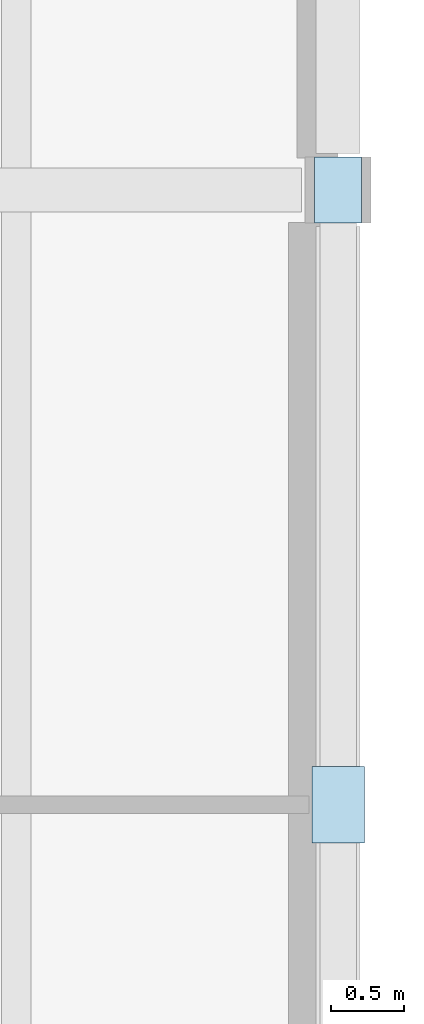
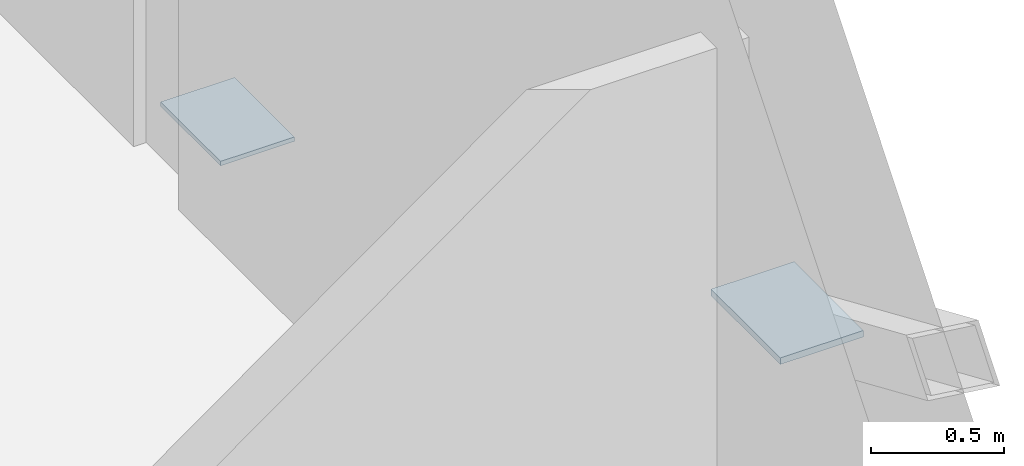
# One storey, part 46 of 74: 2 plates.
"""IFC4 building model written with IfcOpenShell, lengths in metres."""

from ifc_helpers import new_model, si_unit, direction, frame, origin, origin_2d, place, context, subcontext, project, spatial, rectangle, extrude, material, layer, layer_set, type_object, element, save


model = new_model("IFC4")

# Units and contexts
model_context = context("Model", 3, precision=1e-05, world=origin(), true_north=direction((0.0, 1.0)))
body_context = subcontext(model_context, "Body", "Model", "MODEL_VIEW")
ifc_project = project(units=[si_unit("LENGTHUNIT", "METRE"), si_unit("AREAUNIT", "SQUARE_METRE"), si_unit("VOLUMEUNIT", "CUBIC_METRE"), si_unit("PLANEANGLEUNIT", "RADIAN"), si_unit("MASSUNIT", "GRAM", prefix="KILO")], contexts=[model_context])

# Site, building, storey
site_placement = place(None, origin())
site = spatial("IfcSite", under=ifc_project, at=site_placement, CompositionType="ELEMENT")
building_placement = place(site_placement, origin())
building = spatial("IfcBuilding", under=site, at=building_placement, Name="Qaldarim Faculty of Natural and Applied Sciences", CompositionType="ELEMENT")
storey_placement = place(building_placement, frame((0.0, 0.0, 14.39990234375)))
storey = spatial("IfcBuildingStorey", under=building, at=storey_placement, Name="L03", CompositionType="ELEMENT", Elevation=14.39990234375)

# Plates
ifc_material = material(Name="Structural steel S355", Category="steel")
ifc_layer_1 = layer(ifc_material, 0.02001953125)
ifc_layer_set_1 = layer_set([ifc_layer_1], Name="Structural steel S355")
plate_type_1 = type_object("IfcPlateType", Name="GussetPlate-S355-450x320x20", PredefinedType="SHEET", material=ifc_layer_set_1)
plate_1_placement = place(storey_placement, frame((178.199951171875, 109.199951171875, 0.14013671875), z_axis=(0.0, 0.0, 1.0), x_axis=(0.0, 1.0, 0.0)))
element("IfcPlate", 1, at=plate_1_placement, inside=storey, type_object=plate_type_1, Name="Commons east diagrid L03 base gusset BR", PredefinedType="SHEET", context=body_context, shape_type="SweptSolid", body=[
    extrude(rectangle(XDim=0.449951171875, YDim=0.320068359375, at=origin_2d()), origin(), (0.0, 0.0, 1.0), 0.02001953125),
])
ifc_layer_2 = layer(ifc_material, 0.030029296875)
ifc_layer_set_2 = layer_set([ifc_layer_2], Name="Structural steel S355")
plate_type_2 = type_object("IfcPlateType", Name="GussetPlate-S355-520x360x30", PredefinedType="SHEET", material=ifc_layer_set_2)
plate_2_placement = place(storey_placement, frame((178.199951171875, 105.0, 1.80517578125), z_axis=(0.0, 0.0, 1.0), x_axis=(0.0, 1.0, 0.0)))
element("IfcPlate", 2, at=plate_2_placement, inside=storey, type_object=plate_type_2, Name="Commons east diagrid L03 X-crossing gusset plate", PredefinedType="SHEET", context=body_context, shape_type="SweptSolid", body=[
    extrude(rectangle(XDim=0.52001953125, YDim=0.360107421875, at=origin_2d()), origin(), (0.0, 0.0, 1.0), 0.030029296875),
])

save(model, "model.ifc")
